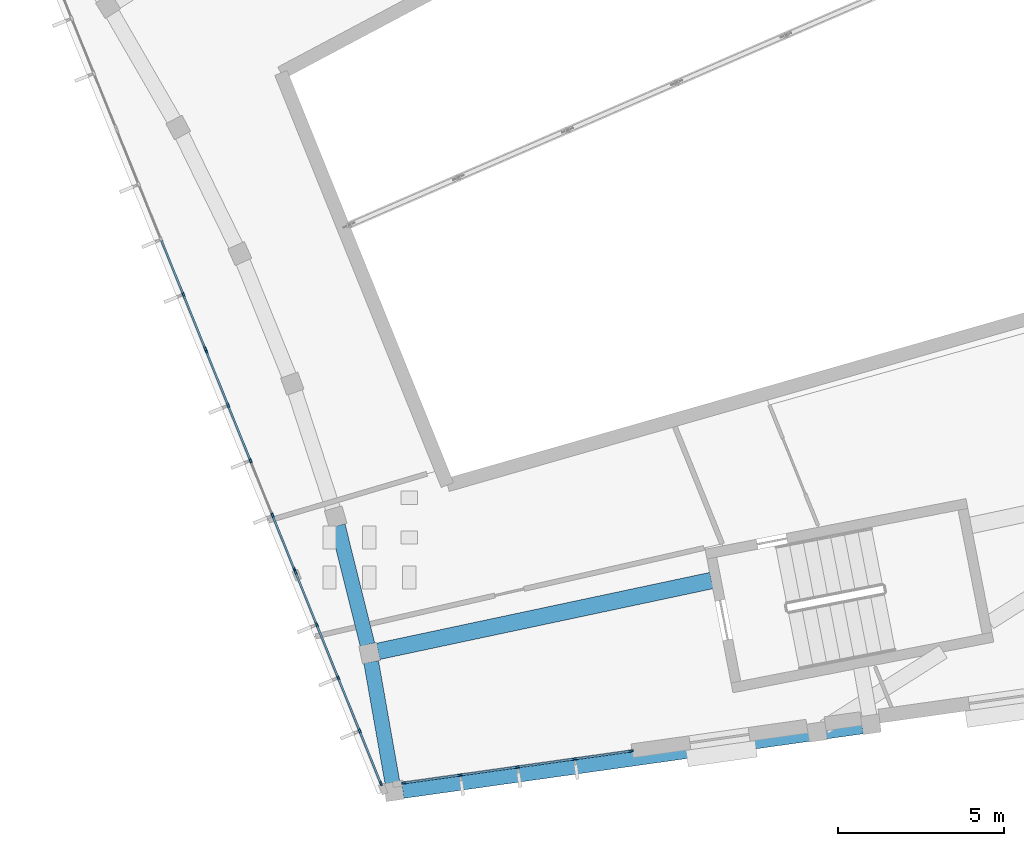
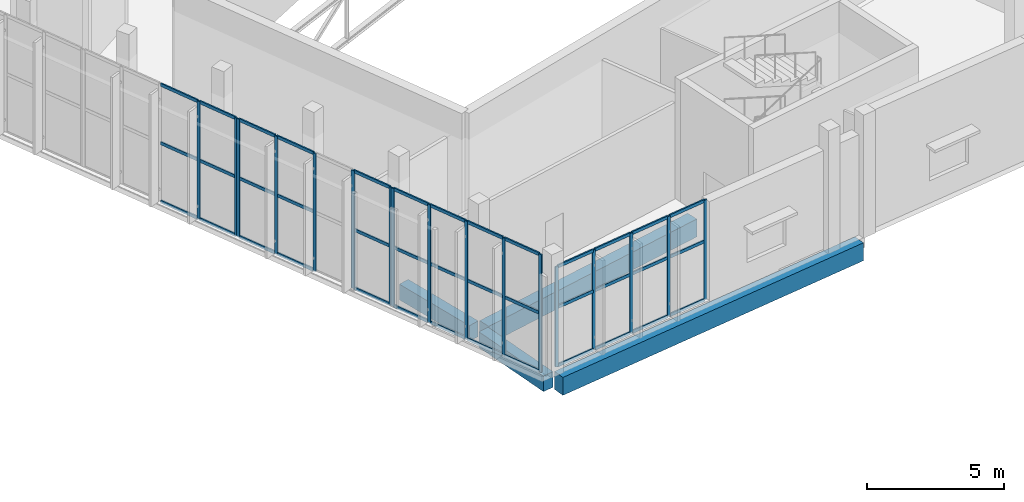
# One storey, part 22 of 112: 56 members, 4 beams, 4 elements without a shape of their own.
"""IFC4 building model written with IfcOpenShell, lengths in metres."""

from ifc_helpers import new_model, si_unit, direction, frame, origin, origin_2d, place, context, subcontext, project, spatial, rectangle, extrude, material, layer, layer_set, material_profile, profile_set, type_object, element, aggregate, save


model = new_model("IFC4")

# Units and contexts
model_context = context("Model", 3, precision=1e-05, world=origin(), true_north=direction((0.0, 1.0)))
body_context = subcontext(model_context, "Body", "Model", "MODEL_VIEW")
ifc_project = project(units=[si_unit("LENGTHUNIT", "METRE"), si_unit("AREAUNIT", "SQUARE_METRE"), si_unit("VOLUMEUNIT", "CUBIC_METRE"), si_unit("PLANEANGLEUNIT", "RADIAN"), si_unit("MASSUNIT", "GRAM", prefix="KILO")], contexts=[model_context])

# Site, building, storey
site_placement = place(None, origin())
site = spatial("IfcSite", under=ifc_project, at=site_placement, CompositionType="ELEMENT")
building_placement = place(site_placement, origin())
building = spatial("IfcBuilding", under=site, at=building_placement, Name="Lunette Opera House", CompositionType="ELEMENT")
storey_placement = place(building_placement, frame((0.0, 0.0, 6.0)))
storey = spatial("IfcBuildingStorey", under=building, at=storey_placement, Name="L01", CompositionType="ELEMENT", Elevation=6.0)

# Curtain wall, members
ifc_material_1 = material(Name="Aluminium", Category="aluminium")
ifc_layer = layer(ifc_material_1, 0.139892578125)
ifc_layer_set = layer_set([ifc_layer], Name="Aluminium")
curtain_wall_type = type_object("IfcCurtainWallType", Name="STUDIO CURTAIN WALL", PredefinedType="NOTDEFINED", material=ifc_layer_set)
curtain_wall_1_placement = place(storey_placement, origin())
curtain_wall_1 = element("IfcCurtainWall", 1, at=curtain_wall_1_placement, inside=storey, type_object=curtain_wall_type, Name="Studio Curtain Wall F06 L01", PredefinedType="NOTDEFINED")
ifc_material_2 = material(Name="Aluminium", Category="aluminium")
ifc_material_profile_1 = material_profile(ifc_material_2, rectangle(XDim=0.06005859375, YDim=0.139892578125, at=origin_2d()), Name="MULLION 60 X 140")
ifc_profile_set_1 = profile_set([ifc_material_profile_1], Name="Aluminium")
member_type_1 = type_object("IfcMemberType", Name="MULLION 60 X 140", PredefinedType="MULLION", material=ifc_profile_set_1)
member_1_placement = place(storey_placement, frame((149.57177734375, 23.37646484375, 0.0), z_axis=(0.0, 0.0, 1.0), x_axis=(0.927187634441, 0.374597237762, 0.0)))
member_1 = element("IfcMember", 2, at=member_1_placement, type_object=member_type_1, Name="SB-X2009 mullion 4", PredefinedType="MULLION", context=body_context, shape_type="SweptSolid", body=[
    extrude(rectangle(XDim=0.06005859375, YDim=0.139892578125, at=origin_2d()), origin(), (0.0, 0.0, 1.0), 5.280029296875),
])
member_2_placement = place(storey_placement, frame((150.229736328125, 21.747802734375, 0.0), z_axis=(0.0, 0.0, 1.0), x_axis=(0.927187634441, 0.374597237762, 0.0)))
member_2 = element("IfcMember", 3, at=member_2_placement, type_object=member_type_1, Name="SB-X2009 mullion 5", PredefinedType="MULLION", context=body_context, shape_type="SweptSolid", body=[
    extrude(rectangle(XDim=0.06005859375, YDim=0.139892578125, at=origin_2d()), origin(), (0.0, 0.0, 1.0), 5.280029296875),
])

curtain_wall_2_placement = place(storey_placement, origin())
curtain_wall_2 = element("IfcCurtainWall", 4, at=curtain_wall_2_placement, inside=storey, type_object=curtain_wall_type, Name="Studio Curtain Wall F07 L01", PredefinedType="NOTDEFINED")
member_3_placement = place(storey_placement, frame((150.26318359375, 21.664306640625, 0.0), z_axis=(0.0, 0.0, 1.0), x_axis=(0.927167994967, 0.37464584491, 0.0)))
member_3 = element("IfcMember", 5, at=member_3_placement, type_object=member_type_1, Name="SB-X2010 mullion 1", PredefinedType="MULLION", context=body_context, shape_type="SweptSolid", body=[
    extrude(rectangle(XDim=0.06005859375, YDim=0.139892578125, at=origin_2d()), origin(), (0.0, 0.0, 1.0), 5.280029296875),
])
member_4_placement = place(storey_placement, frame((150.921142578125, 20.03564453125, 0.0), z_axis=(0.0, 0.0, 1.0), x_axis=(0.927167994967, 0.37464584491, 0.0)))
member_4 = element("IfcMember", 6, at=member_4_placement, type_object=member_type_1, Name="SB-X2010 mullion 2", PredefinedType="MULLION", context=body_context, shape_type="SweptSolid", body=[
    extrude(rectangle(XDim=0.06005859375, YDim=0.139892578125, at=origin_2d()), origin(), (0.0, 0.0, 1.0), 5.280029296875),
])
member_5_placement = place(storey_placement, frame((151.590576171875, 18.37939453125, 0.0), z_axis=(0.0, 0.0, 1.0), x_axis=(0.927167994967, 0.37464584491, 0.0)))
member_5 = element("IfcMember", 7, at=member_5_placement, type_object=member_type_1, Name="SB-X2010 mullion 3", PredefinedType="MULLION", context=body_context, shape_type="SweptSolid", body=[
    extrude(rectangle(XDim=0.06005859375, YDim=0.139892578125, at=origin_2d()), origin(), (0.0, 0.0, 1.0), 5.280029296875),
])
member_6_placement = place(storey_placement, frame((152.259765625, 16.72314453125, 0.0), z_axis=(0.0, 0.0, 1.0), x_axis=(0.927167994967, 0.37464584491, 0.0)))
member_6 = element("IfcMember", 8, at=member_6_placement, type_object=member_type_1, Name="SB-X2010 mullion 4", PredefinedType="MULLION", context=body_context, shape_type="SweptSolid", body=[
    extrude(rectangle(XDim=0.06005859375, YDim=0.139892578125, at=origin_2d()), origin(), (0.0, 0.0, 1.0), 5.280029296875),
])
member_7_placement = place(storey_placement, frame((152.917724609375, 15.0947265625, 0.0), z_axis=(0.0, 0.0, 1.0), x_axis=(0.927167994967, 0.37464584491, 0.0)))
member_7 = element("IfcMember", 9, at=member_7_placement, type_object=member_type_1, Name="SB-X2010 mullion 5", PredefinedType="MULLION", context=body_context, shape_type="SweptSolid", body=[
    extrude(rectangle(XDim=0.06005859375, YDim=0.139892578125, at=origin_2d()), origin(), (0.0, 0.0, 1.0), 5.280029296875),
])

curtain_wall_3_placement = place(storey_placement, origin())
curtain_wall_3 = element("IfcCurtainWall", 10, at=curtain_wall_3_placement, inside=storey, type_object=curtain_wall_type, Name="Studio Curtain Wall F08 L01", PredefinedType="NOTDEFINED")
member_8_placement = place(storey_placement, frame((152.951171875, 15.01123046875, 0.0), z_axis=(0.0, 0.0, 1.0), x_axis=(0.927182844849, 0.374609092545, 0.0)))
member_8 = element("IfcMember", 11, at=member_8_placement, type_object=member_type_1, Name="SB-X2011 mullion 1", PredefinedType="MULLION", context=body_context, shape_type="SweptSolid", body=[
    extrude(rectangle(XDim=0.06005859375, YDim=0.139892578125, at=origin_2d()), origin(), (0.0, 0.0, 1.0), 5.280029296875),
])
member_9_placement = place(storey_placement, frame((153.586669921875, 13.438232421875, 0.0), z_axis=(0.0, 0.0, 1.0), x_axis=(0.927182844849, 0.374609092545, 0.0)))
member_9 = element("IfcMember", 12, at=member_9_placement, type_object=member_type_1, Name="SB-X2011 mullion 2", PredefinedType="MULLION", context=body_context, shape_type="SweptSolid", body=[
    extrude(rectangle(XDim=0.06005859375, YDim=0.139892578125, at=origin_2d()), origin(), (0.0, 0.0, 1.0), 5.280029296875),
])
member_10_placement = place(storey_placement, frame((154.2333984375, 11.83740234375, 0.0), z_axis=(0.0, 0.0, 1.0), x_axis=(0.927182844849, 0.374609092545, 0.0)))
member_10 = element("IfcMember", 13, at=member_10_placement, type_object=member_type_1, Name="SB-X2011 mullion 3", PredefinedType="MULLION", context=body_context, shape_type="SweptSolid", body=[
    extrude(rectangle(XDim=0.06005859375, YDim=0.139892578125, at=origin_2d()), origin(), (0.0, 0.0, 1.0), 5.280029296875),
])
member_11_placement = place(storey_placement, frame((154.88037109375, 10.23681640625, 0.0), z_axis=(0.0, 0.0, 1.0), x_axis=(0.927182844849, 0.374609092545, 0.0)))
member_11 = element("IfcMember", 14, at=member_11_placement, type_object=member_type_1, Name="SB-X2011 mullion 4", PredefinedType="MULLION", context=body_context, shape_type="SweptSolid", body=[
    extrude(rectangle(XDim=0.06005859375, YDim=0.139892578125, at=origin_2d()), origin(), (0.0, 0.0, 1.0), 5.280029296875),
])
member_12_placement = place(storey_placement, frame((155.515869140625, 8.663818359375, 0.0), z_axis=(0.0, 0.0, 1.0), x_axis=(0.927182844849, 0.374609092545, 0.0)))
member_12 = element("IfcMember", 15, at=member_12_placement, type_object=member_type_1, Name="SB-X2011 mullion 5", PredefinedType="MULLION", context=body_context, shape_type="SweptSolid", body=[
    extrude(rectangle(XDim=0.06005859375, YDim=0.139892578125, at=origin_2d()), origin(), (0.0, 0.0, 1.0), 5.280029296875),
])

curtain_wall_4_placement = place(storey_placement, origin())
curtain_wall_4 = element("IfcCurtainWall", 16, at=curtain_wall_4_placement, inside=storey, type_object=curtain_wall_type, Name="Studio Curtain Wall F09 L01", PredefinedType="NOTDEFINED")
member_13_placement = place(storey_placement, frame((156.213623046875, 8.674072265625, 0.0), z_axis=(0.0, 0.0, 1.0), x_axis=(-0.139208606221, 0.990263078154, 0.0)))
member_13 = element("IfcMember", 17, at=member_13_placement, type_object=member_type_1, Name="SB-X2012 mullion 1", PredefinedType="MULLION", context=body_context, shape_type="SweptSolid", body=[
    extrude(rectangle(XDim=0.06005859375, YDim=0.139892578125, at=origin_2d()), origin(), (0.0, 0.0, 1.0), 4.47998046875),
])
member_14_placement = place(storey_placement, frame((157.9072265625, 8.912353515625, 0.0), z_axis=(0.0, 0.0, 1.0), x_axis=(-0.139208606221, 0.990263078154, 0.0)))
member_14 = element("IfcMember", 18, at=member_14_placement, type_object=member_type_1, Name="SB-X2012 mullion 2", PredefinedType="MULLION", context=body_context, shape_type="SweptSolid", body=[
    extrude(rectangle(XDim=0.06005859375, YDim=0.139892578125, at=origin_2d()), origin(), (0.0, 0.0, 1.0), 4.47998046875),
])
member_15_placement = place(storey_placement, frame((159.630615234375, 9.154541015625, 0.0), z_axis=(0.0, 0.0, 1.0), x_axis=(-0.139208606221, 0.990263078154, 0.0)))
member_15 = element("IfcMember", 19, at=member_15_placement, type_object=member_type_1, Name="SB-X2012 mullion 3", PredefinedType="MULLION", context=body_context, shape_type="SweptSolid", body=[
    extrude(rectangle(XDim=0.06005859375, YDim=0.139892578125, at=origin_2d()), origin(), (0.0, 0.0, 1.0), 4.47998046875),
])
member_16_placement = place(storey_placement, frame((161.353759765625, 9.396728515625, 0.0), z_axis=(0.0, 0.0, 1.0), x_axis=(-0.139208606221, 0.990263078154, 0.0)))
member_16 = element("IfcMember", 20, at=member_16_placement, type_object=member_type_1, Name="SB-X2012 mullion 4", PredefinedType="MULLION", context=body_context, shape_type="SweptSolid", body=[
    extrude(rectangle(XDim=0.06005859375, YDim=0.139892578125, at=origin_2d()), origin(), (0.0, 0.0, 1.0), 4.47998046875),
])
member_17_placement = place(storey_placement, frame((163.04736328125, 9.634765625, 0.0), z_axis=(0.0, 0.0, 1.0), x_axis=(-0.139208606221, 0.990263078154, 0.0)))
member_17 = element("IfcMember", 21, at=member_17_placement, type_object=member_type_1, Name="SB-X2012 mullion 5", PredefinedType="MULLION", context=body_context, shape_type="SweptSolid", body=[
    extrude(rectangle(XDim=0.06005859375, YDim=0.139892578125, at=origin_2d()), origin(), (0.0, 0.0, 1.0), 4.47998046875),
])

# Beams
ifc_material_3 = material(Name="Concrete C35/45", Category="concrete")
ifc_material_profile_2 = material_profile(ifc_material_3, rectangle(XDim=0.449951171875, YDim=0.699951171875, at=origin_2d()), Name="RC BEAM 450X700")
ifc_profile_set_2 = profile_set([ifc_material_profile_2], Name="Concrete C35/45")
beam_type_1 = type_object("IfcBeamType", Name="RC BEAM 450X700", PredefinedType="BEAM", material=ifc_profile_set_2)
beam_1_placement = place(storey_placement, frame((154.219970703125, 16.4189453125, -0.570068359375), z_axis=(0.242100042961, -0.970251291779, 0.0), x_axis=(0.970251291779, 0.242100042961, 0.0)))
element("IfcBeam", 22, at=beam_1_placement, inside=storey, type_object=beam_type_1, Name="beam-SB-L01-L01-RG05", PredefinedType="BEAM", context=body_context, shape_type="SweptSolid", body=[
    extrude(rectangle(XDim=0.449951171875, YDim=0.699951171875, at=origin_2d()), origin(), (0.0, 0.0, 1.0), 3.69287109375),
])
beam_2_placement = place(storey_placement, frame((155.22412109375, 12.318115234375, -0.570068359375), z_axis=(0.173525123343, -0.984829442883, 0.0), x_axis=(0.984829442883, 0.173525123343, 0.0)))
element("IfcBeam", 23, at=beam_2_placement, inside=storey, type_object=beam_type_1, Name="beam-SB-L01-L01-RG06", PredefinedType="BEAM", context=body_context, shape_type="SweptSolid", body=[
    extrude(rectangle(XDim=0.449951171875, YDim=0.699951171875, at=origin_2d()), origin(), (0.0, 0.0, 1.0), 3.693115234375),
])
ifc_material_4 = material(Name="Concrete C35/45", Category="concrete")
ifc_material_profile_3 = material_profile(ifc_material_4, rectangle(XDim=0.5, YDim=0.800048828125, at=origin_2d()), Name="RC BEAM 500X800")
ifc_profile_set_3 = profile_set([ifc_material_profile_3], Name="Concrete C35/45")
beam_type_2 = type_object("IfcBeamType", Name="RC BEAM 500X800", PredefinedType="BEAM", material=ifc_profile_set_3)
beam_3_placement = place(storey_placement, frame((155.43701171875, 12.634033203125, -0.6201171875), z_axis=(0.978153224156, 0.207885232936, 0.0), x_axis=(-0.207885232936, 0.978153224156, 0.0)))
element("IfcBeam", 24, at=beam_3_placement, inside=storey, type_object=beam_type_2, Name="beam-SB-L01-L01-RB06", PredefinedType="BEAM", context=body_context, shape_type="SweptSolid", body=[
    extrude(rectangle(XDim=0.5, YDim=0.800048828125, at=origin_2d()), origin(), (0.0, 0.0, 1.0), 10.256103515625),
])
beam_4_placement = place(storey_placement, frame((156.174072265625, 8.45703125, -0.6201171875), z_axis=(0.990271936144, 0.139145580185, 0.0), x_axis=(-0.139145580185, 0.990271936144, 0.0)))
element("IfcBeam", 25, at=beam_4_placement, inside=storey, type_object=beam_type_2, Name="beam-SB-L01-L01-RB07", PredefinedType="BEAM", context=body_context, shape_type="SweptSolid", body=[
    extrude(rectangle(XDim=0.5, YDim=0.800048828125, at=origin_2d()), origin(), (0.0, 0.0, 1.0), 13.969970703125),
])

# Member
ifc_material_5 = material(Name="Aluminium", Category="aluminium")
ifc_material_profile_4 = material_profile(ifc_material_5, rectangle(XDim=0.06005859375, YDim=0.139892578125, at=origin_2d()), Name="TRANSOM 60 X 140")
ifc_profile_set_4 = profile_set([ifc_material_profile_4], Name="Aluminium")
member_type_2 = type_object("IfcMemberType", Name="TRANSOM 60 X 140", PredefinedType="USERDEFINED", material=ifc_profile_set_4)
member_18_placement = place(storey_placement, frame((148.913818359375, 25.005126953125, 0.030029296875), z_axis=(0.374582285456, -0.927193675249, 0.0), x_axis=(0.927193675249, 0.374582285456, 0.0)))
member_18 = element("IfcMember", 26, at=member_18_placement, type_object=member_type_2, Name="SB-X2009 transom 3.1", ObjectType="TRANSOM", PredefinedType="USERDEFINED", context=body_context, shape_type="SweptSolid", body=[
    extrude(rectangle(XDim=0.06005859375, YDim=0.139892578125, at=origin_2d()), origin(), (0.0, 0.0, 1.0), 1.7265625),
])

member_19_placement = place(storey_placement, frame((148.913818359375, 25.005126953125, 2.639892578125), z_axis=(0.374582285456, -0.927193675249, 0.0), x_axis=(0.927193675249, 0.374582285456, 0.0)))
member_19 = element("IfcMember", 27, at=member_19_placement, type_object=member_type_2, Name="SB-X2009 transom 3.2", ObjectType="TRANSOM", PredefinedType="USERDEFINED", context=body_context, shape_type="SweptSolid", body=[
    extrude(rectangle(XDim=0.06005859375, YDim=0.139892578125, at=origin_2d()), origin(), (0.0, 0.0, 1.0), 1.7265625),
])

member_20_placement = place(storey_placement, frame((148.913818359375, 25.005126953125, 5.25), z_axis=(0.374582285456, -0.927193675249, 0.0), x_axis=(0.927193675249, 0.374582285456, 0.0)))
member_20 = element("IfcMember", 28, at=member_20_placement, type_object=member_type_2, Name="SB-X2009 transom 3.3", ObjectType="TRANSOM", PredefinedType="USERDEFINED", context=body_context, shape_type="SweptSolid", body=[
    extrude(rectangle(XDim=0.06005859375, YDim=0.139892578125, at=origin_2d()), origin(), (0.0, 0.0, 1.0), 1.7265625),
])

member_21_placement = place(storey_placement, frame((149.5830078125, 23.3486328125, 0.030029296875), z_axis=(0.374589153254, -0.927190900659, 0.0), x_axis=(0.927190900659, 0.374589153254, 0.0)))
member_21 = element("IfcMember", 29, at=member_21_placement, type_object=member_type_2, Name="SB-X2009 transom 4.1", ObjectType="TRANSOM", PredefinedType="USERDEFINED", context=body_context, shape_type="SweptSolid", body=[
    extrude(rectangle(XDim=0.06005859375, YDim=0.139892578125, at=origin_2d()), origin(), (0.0, 0.0, 1.0), 1.696533203125),
])

member_22_placement = place(storey_placement, frame((149.5830078125, 23.3486328125, 2.639892578125), z_axis=(0.374589153254, -0.927190900659, 0.0), x_axis=(0.927190900659, 0.374589153254, 0.0)))
member_22 = element("IfcMember", 30, at=member_22_placement, type_object=member_type_2, Name="SB-X2009 transom 4.2", ObjectType="TRANSOM", PredefinedType="USERDEFINED", context=body_context, shape_type="SweptSolid", body=[
    extrude(rectangle(XDim=0.06005859375, YDim=0.139892578125, at=origin_2d()), origin(), (0.0, 0.0, 1.0), 1.696533203125),
])

member_23_placement = place(storey_placement, frame((149.5830078125, 23.3486328125, 5.25), z_axis=(0.374589153254, -0.927190900659, 0.0), x_axis=(0.927190900659, 0.374589153254, 0.0)))
member_23 = element("IfcMember", 31, at=member_23_placement, type_object=member_type_2, Name="SB-X2009 transom 4.3", ObjectType="TRANSOM", PredefinedType="USERDEFINED", context=body_context, shape_type="SweptSolid", body=[
    extrude(rectangle(XDim=0.06005859375, YDim=0.139892578125, at=origin_2d()), origin(), (0.0, 0.0, 1.0), 1.696533203125),
])

aggregate(curtain_wall_1, [member_1, member_2, member_18, member_19, member_20, member_21, member_22, member_23])

member_24_placement = place(storey_placement, frame((150.2744140625, 21.636474609375, 0.030029296875), z_axis=(0.374589153254, -0.927190900659, 0.0), x_axis=(0.927190900659, 0.374589153254, 0.0)))
member_24 = element("IfcMember", 32, at=member_24_placement, type_object=member_type_2, Name="SB-X2010 transom 1.1", ObjectType="TRANSOM", PredefinedType="USERDEFINED", context=body_context, shape_type="SweptSolid", body=[
    extrude(rectangle(XDim=0.06005859375, YDim=0.139892578125, at=origin_2d()), origin(), (0.0, 0.0, 1.0), 1.696533203125),
])

member_25_placement = place(storey_placement, frame((150.2744140625, 21.636474609375, 2.639892578125), z_axis=(0.374589153254, -0.927190900659, 0.0), x_axis=(0.927190900659, 0.374589153254, 0.0)))
member_25 = element("IfcMember", 33, at=member_25_placement, type_object=member_type_2, Name="SB-X2010 transom 1.2", ObjectType="TRANSOM", PredefinedType="USERDEFINED", context=body_context, shape_type="SweptSolid", body=[
    extrude(rectangle(XDim=0.06005859375, YDim=0.139892578125, at=origin_2d()), origin(), (0.0, 0.0, 1.0), 1.696533203125),
])

member_26_placement = place(storey_placement, frame((150.2744140625, 21.636474609375, 5.25), z_axis=(0.374589153254, -0.927190900659, 0.0), x_axis=(0.927190900659, 0.374589153254, 0.0)))
member_26 = element("IfcMember", 34, at=member_26_placement, type_object=member_type_2, Name="SB-X2010 transom 1.3", ObjectType="TRANSOM", PredefinedType="USERDEFINED", context=body_context, shape_type="SweptSolid", body=[
    extrude(rectangle(XDim=0.06005859375, YDim=0.139892578125, at=origin_2d()), origin(), (0.0, 0.0, 1.0), 1.696533203125),
])

member_27_placement = place(storey_placement, frame((150.932373046875, 20.008056640625, 0.030029296875), z_axis=(0.374703840138, -0.927144558408, 0.0), x_axis=(0.927144558408, 0.374703840138, 0.0)))
member_27 = element("IfcMember", 35, at=member_27_placement, type_object=member_type_2, Name="SB-X2010 transom 2.1", ObjectType="TRANSOM", PredefinedType="USERDEFINED", context=body_context, shape_type="SweptSolid", body=[
    extrude(rectangle(XDim=0.06005859375, YDim=0.139892578125, at=origin_2d()), origin(), (0.0, 0.0, 1.0), 1.7265625),
])

member_28_placement = place(storey_placement, frame((150.932373046875, 20.008056640625, 2.639892578125), z_axis=(0.374703840138, -0.927144558408, 0.0), x_axis=(0.927144558408, 0.374703840138, 0.0)))
member_28 = element("IfcMember", 36, at=member_28_placement, type_object=member_type_2, Name="SB-X2010 transom 2.2", ObjectType="TRANSOM", PredefinedType="USERDEFINED", context=body_context, shape_type="SweptSolid", body=[
    extrude(rectangle(XDim=0.06005859375, YDim=0.139892578125, at=origin_2d()), origin(), (0.0, 0.0, 1.0), 1.7265625),
])

member_29_placement = place(storey_placement, frame((150.932373046875, 20.008056640625, 5.25), z_axis=(0.374703840138, -0.927144558408, 0.0), x_axis=(0.927144558408, 0.374703840138, 0.0)))
member_29 = element("IfcMember", 37, at=member_29_placement, type_object=member_type_2, Name="SB-X2010 transom 2.3", ObjectType="TRANSOM", PredefinedType="USERDEFINED", context=body_context, shape_type="SweptSolid", body=[
    extrude(rectangle(XDim=0.06005859375, YDim=0.139892578125, at=origin_2d()), origin(), (0.0, 0.0, 1.0), 1.7265625),
])

member_30_placement = place(storey_placement, frame((152.27099609375, 16.695556640625, 0.030029296875), z_axis=(0.374589153254, -0.927190900659, 0.0), x_axis=(0.927190900659, 0.374589153254, 0.0)))
member_30 = element("IfcMember", 38, at=member_30_placement, type_object=member_type_2, Name="SB-X2010 transom 4.1", ObjectType="TRANSOM", PredefinedType="USERDEFINED", context=body_context, shape_type="SweptSolid", body=[
    extrude(rectangle(XDim=0.06005859375, YDim=0.139892578125, at=origin_2d()), origin(), (0.0, 0.0, 1.0), 1.696533203125),
])

member_31_placement = place(storey_placement, frame((152.27099609375, 16.695556640625, 2.639892578125), z_axis=(0.374589153254, -0.927190900659, 0.0), x_axis=(0.927190900659, 0.374589153254, 0.0)))
member_31 = element("IfcMember", 39, at=member_31_placement, type_object=member_type_2, Name="SB-X2010 transom 4.2", ObjectType="TRANSOM", PredefinedType="USERDEFINED", context=body_context, shape_type="SweptSolid", body=[
    extrude(rectangle(XDim=0.06005859375, YDim=0.139892578125, at=origin_2d()), origin(), (0.0, 0.0, 1.0), 1.696533203125),
])

member_32_placement = place(storey_placement, frame((152.27099609375, 16.695556640625, 5.25), z_axis=(0.374589153254, -0.927190900659, 0.0), x_axis=(0.927190900659, 0.374589153254, 0.0)))
member_32 = element("IfcMember", 40, at=member_32_placement, type_object=member_type_2, Name="SB-X2010 transom 4.3", ObjectType="TRANSOM", PredefinedType="USERDEFINED", context=body_context, shape_type="SweptSolid", body=[
    extrude(rectangle(XDim=0.06005859375, YDim=0.139892578125, at=origin_2d()), origin(), (0.0, 0.0, 1.0), 1.696533203125),
])

aggregate(curtain_wall_2, [member_3, member_4, member_5, member_6, member_7, member_24, member_25, member_26, member_27, member_28, member_29, member_30, member_31, member_32])

member_33_placement = place(storey_placement, frame((152.96240234375, 14.9833984375, 0.030029296875), z_axis=(0.374603644492, -0.927185046004, 0.0), x_axis=(0.927185046004, 0.374603644492, 0.0)))
member_33 = element("IfcMember", 41, at=member_33_placement, type_object=member_type_2, Name="SB-X2011 transom 1.1", ObjectType="TRANSOM", PredefinedType="USERDEFINED", context=body_context, shape_type="SweptSolid", body=[
    extrude(rectangle(XDim=0.06005859375, YDim=0.139892578125, at=origin_2d()), origin(), (0.0, 0.0, 1.0), 1.636474609375),
])

member_34_placement = place(storey_placement, frame((152.96240234375, 14.9833984375, 2.639892578125), z_axis=(0.374603644492, -0.927185046004, 0.0), x_axis=(0.927185046004, 0.374603644492, 0.0)))
member_34 = element("IfcMember", 42, at=member_34_placement, type_object=member_type_2, Name="SB-X2011 transom 1.2", ObjectType="TRANSOM", PredefinedType="USERDEFINED", context=body_context, shape_type="SweptSolid", body=[
    extrude(rectangle(XDim=0.06005859375, YDim=0.139892578125, at=origin_2d()), origin(), (0.0, 0.0, 1.0), 1.636474609375),
])

member_35_placement = place(storey_placement, frame((152.96240234375, 14.9833984375, 5.25), z_axis=(0.374603644492, -0.927185046004, 0.0), x_axis=(0.927185046004, 0.374603644492, 0.0)))
member_35 = element("IfcMember", 43, at=member_35_placement, type_object=member_type_2, Name="SB-X2011 transom 1.3", ObjectType="TRANSOM", PredefinedType="USERDEFINED", context=body_context, shape_type="SweptSolid", body=[
    extrude(rectangle(XDim=0.06005859375, YDim=0.139892578125, at=origin_2d()), origin(), (0.0, 0.0, 1.0), 1.636474609375),
])

member_36_placement = place(storey_placement, frame((153.597900390625, 13.410400390625, 0.030029296875), z_axis=(0.374596268397, -0.927188026078, 0.0), x_axis=(0.927188026078, 0.374596268397, 0.0)))
member_36 = element("IfcMember", 44, at=member_36_placement, type_object=member_type_2, Name="SB-X2011 transom 2.1", ObjectType="TRANSOM", PredefinedType="USERDEFINED", context=body_context, shape_type="SweptSolid", body=[
    extrude(rectangle(XDim=0.06005859375, YDim=0.139892578125, at=origin_2d()), origin(), (0.0, 0.0, 1.0), 1.66650390625),
])

member_37_placement = place(storey_placement, frame((153.597900390625, 13.410400390625, 2.639892578125), z_axis=(0.374596268397, -0.927188026078, 0.0), x_axis=(0.927188026078, 0.374596268397, 0.0)))
member_37 = element("IfcMember", 45, at=member_37_placement, type_object=member_type_2, Name="SB-X2011 transom 2.2", ObjectType="TRANSOM", PredefinedType="USERDEFINED", context=body_context, shape_type="SweptSolid", body=[
    extrude(rectangle(XDim=0.06005859375, YDim=0.139892578125, at=origin_2d()), origin(), (0.0, 0.0, 1.0), 1.66650390625),
])

member_38_placement = place(storey_placement, frame((153.597900390625, 13.410400390625, 5.25), z_axis=(0.374596268397, -0.927188026078, 0.0), x_axis=(0.927188026078, 0.374596268397, 0.0)))
member_38 = element("IfcMember", 46, at=member_38_placement, type_object=member_type_2, Name="SB-X2011 transom 2.3", ObjectType="TRANSOM", PredefinedType="USERDEFINED", context=body_context, shape_type="SweptSolid", body=[
    extrude(rectangle(XDim=0.06005859375, YDim=0.139892578125, at=origin_2d()), origin(), (0.0, 0.0, 1.0), 1.66650390625),
])

member_39_placement = place(storey_placement, frame((154.24462890625, 11.8095703125, 0.030029296875), z_axis=(0.374647156722, -0.927167464895, 0.0), x_axis=(0.927167464895, 0.374647156722, 0.0)))
member_39 = element("IfcMember", 47, at=member_39_placement, type_object=member_type_2, Name="SB-X2011 transom 3.1", ObjectType="TRANSOM", PredefinedType="USERDEFINED", context=body_context, shape_type="SweptSolid", body=[
    extrude(rectangle(XDim=0.06005859375, YDim=0.139892578125, at=origin_2d()), origin(), (0.0, 0.0, 1.0), 1.666259765625),
])

member_40_placement = place(storey_placement, frame((154.24462890625, 11.8095703125, 2.639892578125), z_axis=(0.374647156722, -0.927167464895, 0.0), x_axis=(0.927167464895, 0.374647156722, 0.0)))
member_40 = element("IfcMember", 48, at=member_40_placement, type_object=member_type_2, Name="SB-X2011 transom 3.2", ObjectType="TRANSOM", PredefinedType="USERDEFINED", context=body_context, shape_type="SweptSolid", body=[
    extrude(rectangle(XDim=0.06005859375, YDim=0.139892578125, at=origin_2d()), origin(), (0.0, 0.0, 1.0), 1.666259765625),
])

member_41_placement = place(storey_placement, frame((154.24462890625, 11.8095703125, 5.25), z_axis=(0.374647156722, -0.927167464895, 0.0), x_axis=(0.927167464895, 0.374647156722, 0.0)))
member_41 = element("IfcMember", 49, at=member_41_placement, type_object=member_type_2, Name="SB-X2011 transom 3.3", ObjectType="TRANSOM", PredefinedType="USERDEFINED", context=body_context, shape_type="SweptSolid", body=[
    extrude(rectangle(XDim=0.06005859375, YDim=0.139892578125, at=origin_2d()), origin(), (0.0, 0.0, 1.0), 1.666259765625),
])

member_42_placement = place(storey_placement, frame((154.8916015625, 10.208984375, 0.030029296875), z_axis=(0.374603644492, -0.927185046004, 0.0), x_axis=(0.927185046004, 0.374603644492, 0.0)))
member_42 = element("IfcMember", 50, at=member_42_placement, type_object=member_type_2, Name="SB-X2011 transom 4.1", ObjectType="TRANSOM", PredefinedType="USERDEFINED", context=body_context, shape_type="SweptSolid", body=[
    extrude(rectangle(XDim=0.06005859375, YDim=0.139892578125, at=origin_2d()), origin(), (0.0, 0.0, 1.0), 1.636474609375),
])

member_43_placement = place(storey_placement, frame((154.8916015625, 10.208984375, 2.639892578125), z_axis=(0.374603644492, -0.927185046004, 0.0), x_axis=(0.927185046004, 0.374603644492, 0.0)))
member_43 = element("IfcMember", 51, at=member_43_placement, type_object=member_type_2, Name="SB-X2011 transom 4.2", ObjectType="TRANSOM", PredefinedType="USERDEFINED", context=body_context, shape_type="SweptSolid", body=[
    extrude(rectangle(XDim=0.06005859375, YDim=0.139892578125, at=origin_2d()), origin(), (0.0, 0.0, 1.0), 1.636474609375),
])

member_44_placement = place(storey_placement, frame((154.8916015625, 10.208984375, 5.25), z_axis=(0.374603644492, -0.927185046004, 0.0), x_axis=(0.927185046004, 0.374603644492, 0.0)))
member_44 = element("IfcMember", 52, at=member_44_placement, type_object=member_type_2, Name="SB-X2011 transom 4.3", ObjectType="TRANSOM", PredefinedType="USERDEFINED", context=body_context, shape_type="SweptSolid", body=[
    extrude(rectangle(XDim=0.06005859375, YDim=0.139892578125, at=origin_2d()), origin(), (0.0, 0.0, 1.0), 1.636474609375),
])

aggregate(curtain_wall_3, [member_8, member_9, member_10, member_11, member_12, member_33, member_34, member_35, member_36, member_37, member_38, member_39, member_40, member_41, member_42, member_43, member_44])

member_45_placement = place(storey_placement, frame((156.243408203125, 8.678466796875, 0.030029296875), z_axis=(0.990281110905, 0.139080269573, 0.0), x_axis=(-0.139080269573, 0.990281110905, 0.0)))
member_45 = element("IfcMember", 53, at=member_45_placement, type_object=member_type_2, Name="SB-X2012 transom 1.1", ObjectType="TRANSOM", PredefinedType="USERDEFINED", context=body_context, shape_type="SweptSolid", body=[
    extrude(rectangle(XDim=0.06005859375, YDim=0.139892578125, at=origin_2d()), origin(), (0.0, 0.0, 1.0), 1.650146484375),
])

member_46_placement = place(storey_placement, frame((156.243408203125, 8.678466796875, 2.639892578125), z_axis=(0.990281110905, 0.139080269573, 0.0), x_axis=(-0.139080269573, 0.990281110905, 0.0)))
member_46 = element("IfcMember", 54, at=member_46_placement, type_object=member_type_2, Name="SB-X2012 transom 1.2", ObjectType="TRANSOM", PredefinedType="USERDEFINED", context=body_context, shape_type="SweptSolid", body=[
    extrude(rectangle(XDim=0.06005859375, YDim=0.139892578125, at=origin_2d()), origin(), (0.0, 0.0, 1.0), 1.650146484375),
])

member_47_placement = place(storey_placement, frame((156.243408203125, 8.678466796875, 4.449951171875), z_axis=(0.990281110905, 0.139080269573, 0.0), x_axis=(-0.139080269573, 0.990281110905, 0.0)))
member_47 = element("IfcMember", 55, at=member_47_placement, type_object=member_type_2, Name="SB-X2012 transom 1.3", ObjectType="TRANSOM", PredefinedType="USERDEFINED", context=body_context, shape_type="SweptSolid", body=[
    extrude(rectangle(XDim=0.06005859375, YDim=0.139892578125, at=origin_2d()), origin(), (0.0, 0.0, 1.0), 1.650146484375),
])

member_48_placement = place(storey_placement, frame((157.93701171875, 8.91650390625, 0.030029296875), z_axis=(0.990263778482, 0.139203624327, 0.0), x_axis=(-0.139203624327, 0.990263778482, 0.0)))
member_48 = element("IfcMember", 56, at=member_48_placement, type_object=member_type_2, Name="SB-X2012 transom 2.1", ObjectType="TRANSOM", PredefinedType="USERDEFINED", context=body_context, shape_type="SweptSolid", body=[
    extrude(rectangle(XDim=0.06005859375, YDim=0.139892578125, at=origin_2d()), origin(), (0.0, 0.0, 1.0), 1.68017578125),
])

member_49_placement = place(storey_placement, frame((157.93701171875, 8.91650390625, 2.639892578125), z_axis=(0.990263778482, 0.139203624327, 0.0), x_axis=(-0.139203624327, 0.990263778482, 0.0)))
member_49 = element("IfcMember", 57, at=member_49_placement, type_object=member_type_2, Name="SB-X2012 transom 2.2", ObjectType="TRANSOM", PredefinedType="USERDEFINED", context=body_context, shape_type="SweptSolid", body=[
    extrude(rectangle(XDim=0.06005859375, YDim=0.139892578125, at=origin_2d()), origin(), (0.0, 0.0, 1.0), 1.68017578125),
])

member_50_placement = place(storey_placement, frame((157.93701171875, 8.91650390625, 4.449951171875), z_axis=(0.990263778482, 0.139203624327, 0.0), x_axis=(-0.139203624327, 0.990263778482, 0.0)))
member_50 = element("IfcMember", 58, at=member_50_placement, type_object=member_type_2, Name="SB-X2012 transom 2.3", ObjectType="TRANSOM", PredefinedType="USERDEFINED", context=body_context, shape_type="SweptSolid", body=[
    extrude(rectangle(XDim=0.06005859375, YDim=0.139892578125, at=origin_2d()), origin(), (0.0, 0.0, 1.0), 1.68017578125),
])

member_51_placement = place(storey_placement, frame((159.66015625, 9.15869140625, 0.030029296875), z_axis=(0.990263778482, 0.139203624327, 0.0), x_axis=(-0.139203624327, 0.990263778482, 0.0)))
member_51 = element("IfcMember", 59, at=member_51_placement, type_object=member_type_2, Name="SB-X2012 transom 3.1", ObjectType="TRANSOM", PredefinedType="USERDEFINED", context=body_context, shape_type="SweptSolid", body=[
    extrude(rectangle(XDim=0.06005859375, YDim=0.139892578125, at=origin_2d()), origin(), (0.0, 0.0, 1.0), 1.68017578125),
])

member_52_placement = place(storey_placement, frame((159.66015625, 9.15869140625, 2.639892578125), z_axis=(0.990263778482, 0.139203624327, 0.0), x_axis=(-0.139203624327, 0.990263778482, 0.0)))
member_52 = element("IfcMember", 60, at=member_52_placement, type_object=member_type_2, Name="SB-X2012 transom 3.2", ObjectType="TRANSOM", PredefinedType="USERDEFINED", context=body_context, shape_type="SweptSolid", body=[
    extrude(rectangle(XDim=0.06005859375, YDim=0.139892578125, at=origin_2d()), origin(), (0.0, 0.0, 1.0), 1.68017578125),
])

member_53_placement = place(storey_placement, frame((159.66015625, 9.15869140625, 4.449951171875), z_axis=(0.990263778482, 0.139203624327, 0.0), x_axis=(-0.139203624327, 0.990263778482, 0.0)))
member_53 = element("IfcMember", 61, at=member_53_placement, type_object=member_type_2, Name="SB-X2012 transom 3.3", ObjectType="TRANSOM", PredefinedType="USERDEFINED", context=body_context, shape_type="SweptSolid", body=[
    extrude(rectangle(XDim=0.06005859375, YDim=0.139892578125, at=origin_2d()), origin(), (0.0, 0.0, 1.0), 1.68017578125),
])

member_54_placement = place(storey_placement, frame((161.383544921875, 9.40087890625, 0.030029296875), z_axis=(0.990260722689, 0.139225360832, 0.0), x_axis=(-0.139225360832, 0.990260722689, 0.0)))
member_54 = element("IfcMember", 62, at=member_54_placement, type_object=member_type_2, Name="SB-X2012 transom 4.1", ObjectType="TRANSOM", PredefinedType="USERDEFINED", context=body_context, shape_type="SweptSolid", body=[
    extrude(rectangle(XDim=0.06005859375, YDim=0.139892578125, at=origin_2d()), origin(), (0.0, 0.0, 1.0), 1.650146484375),
])

member_55_placement = place(storey_placement, frame((161.383544921875, 9.40087890625, 2.639892578125), z_axis=(0.990260722689, 0.139225360832, 0.0), x_axis=(-0.139225360832, 0.990260722689, 0.0)))
member_55 = element("IfcMember", 63, at=member_55_placement, type_object=member_type_2, Name="SB-X2012 transom 4.2", ObjectType="TRANSOM", PredefinedType="USERDEFINED", context=body_context, shape_type="SweptSolid", body=[
    extrude(rectangle(XDim=0.06005859375, YDim=0.139892578125, at=origin_2d()), origin(), (0.0, 0.0, 1.0), 1.650146484375),
])

member_56_placement = place(storey_placement, frame((161.383544921875, 9.40087890625, 4.449951171875), z_axis=(0.990260722689, 0.139225360832, 0.0), x_axis=(-0.139225360832, 0.990260722689, 0.0)))
member_56 = element("IfcMember", 64, at=member_56_placement, type_object=member_type_2, Name="SB-X2012 transom 4.3", ObjectType="TRANSOM", PredefinedType="USERDEFINED", context=body_context, shape_type="SweptSolid", body=[
    extrude(rectangle(XDim=0.06005859375, YDim=0.139892578125, at=origin_2d()), origin(), (0.0, 0.0, 1.0), 1.650146484375),
])

aggregate(curtain_wall_4, [member_13, member_14, member_15, member_16, member_17, member_45, member_46, member_47, member_48, member_49, member_50, member_51, member_52, member_53, member_54, member_55, member_56])

save(model, "model.ifc")
